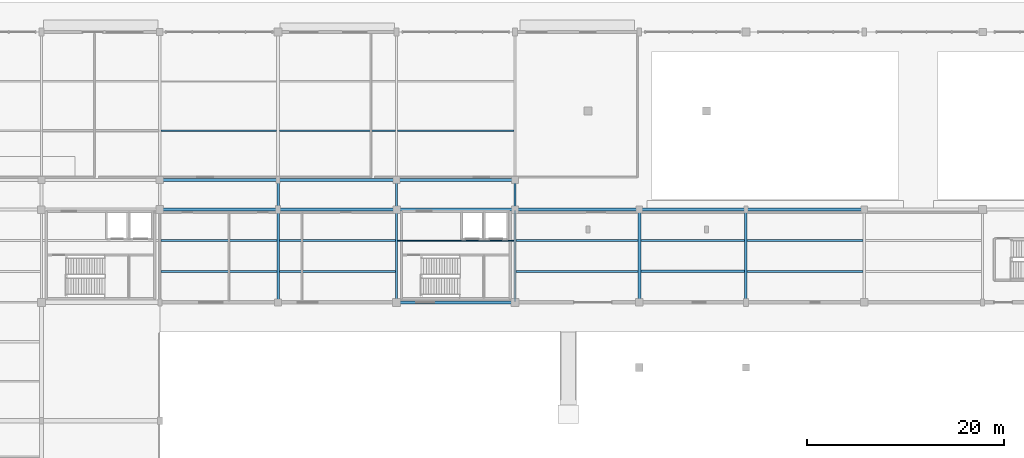
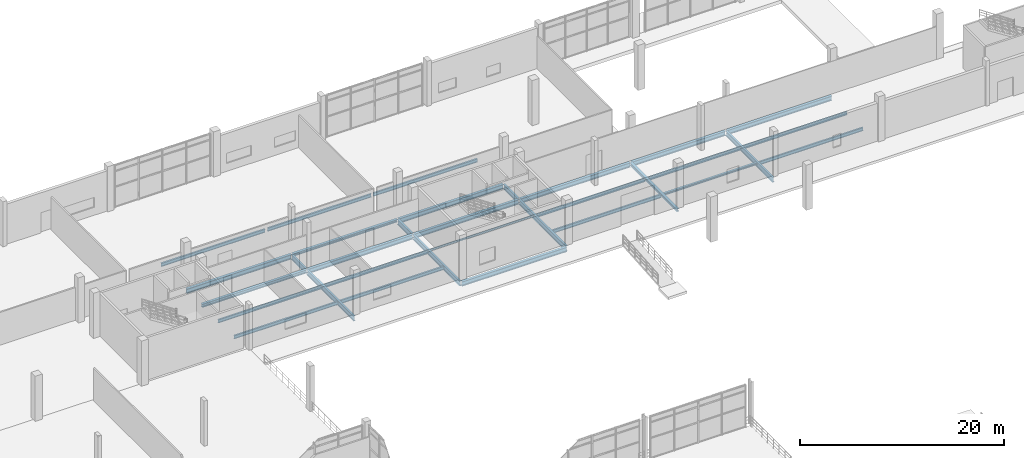
# One storey, part 30 of 85: 32 beams.
"""IFC4 building model written with IfcOpenShell, lengths in metres."""

from ifc_helpers import new_model, si_unit, direction, frame, origin, origin_2d, place, context, subcontext, project, spatial, i_section, extrude, material, material_profile, profile_set, type_object, element, save


model = new_model("IFC4")

# Units and contexts
model_context = context("Model", 3, precision=1e-05, world=origin(), true_north=direction((0.0, 1.0)))
body_context = subcontext(model_context, "Body", "Model", "MODEL_VIEW")
ifc_project = project(units=[si_unit("LENGTHUNIT", "METRE"), si_unit("AREAUNIT", "SQUARE_METRE"), si_unit("VOLUMEUNIT", "CUBIC_METRE"), si_unit("PLANEANGLEUNIT", "RADIAN"), si_unit("MASSUNIT", "GRAM", prefix="KILO"), si_unit("THERMODYNAMICTEMPERATUREUNIT", "KELVIN"), si_unit("POWERUNIT", "WATT")], contexts=[model_context])

# Site, building, storey
site_placement = place(None, origin())
site = spatial("IfcSite", under=ifc_project, at=site_placement, CompositionType="ELEMENT")
building_placement = place(site_placement, origin())
building = spatial("IfcBuilding", under=site, at=building_placement, Name="Solmara Park Aquatics Centre", CompositionType="ELEMENT")
storey_placement = place(building_placement, origin())
storey = spatial("IfcBuildingStorey", under=building, at=storey_placement, Name="L00", CompositionType="ELEMENT", Elevation=0.0)

# Beams
ifc_material = material(Name="Structural Steel S355", Category="steel")
ifc_material_profile_1 = material_profile(ifc_material, i_section(OverallWidth=0.300048828125, OverallDepth=0.31005859375, WebThickness=0.009033203125, FlangeThickness=0.015380859375, FilletRadius=0.027099609375, at=origin_2d()), Name="HEA 320")
ifc_profile_set_1 = profile_set([ifc_material_profile_1], Name="Structural Steel S355")
beam_type_1 = type_object("IfcBeamType", Name="STR-BM-HEA320", PredefinedType="BEAM", material=ifc_profile_set_1)
beam_1_placement = place(storey_placement, frame((72.679931640625, 121.0, -0.574951171875), z_axis=(1.0, 0.0, 0.0), x_axis=(0.0, 1.0, 0.0)))
element("IfcBeam", 1, at=beam_1_placement, inside=storey, type_object=beam_type_1, Name="Girder BM-L00-0138", PredefinedType="BEAM", context=body_context, shape_type="SweptSolid", body=[
    extrude(i_section(OverallWidth=0.300048828125, OverallDepth=0.31005859375, WebThickness=0.009033203125, FlangeThickness=0.015380859375, FilletRadius=0.027099609375, at=origin_2d()), origin(), (0.0, 0.0, 1.0), 11.840087890625),
])
beam_2_placement = place(storey_placement, frame((109.199951171875, 108.679931640625, -0.574951171875), z_axis=(0.0, 1.0, 0.0), x_axis=(-1.0, 0.0, 0.0)))
element("IfcBeam", 2, at=beam_2_placement, inside=storey, type_object=beam_type_1, Name="Girder BM-L00-0161", PredefinedType="BEAM", context=body_context, shape_type="SweptSolid", body=[
    extrude(i_section(OverallWidth=0.300048828125, OverallDepth=0.31005859375, WebThickness=0.009033203125, FlangeThickness=0.015380859375, FilletRadius=0.027099609375, at=origin_2d()), origin(), (0.0, 0.0, 1.0), 9.239990234375),
])
ifc_material_profile_2 = material_profile(ifc_material, i_section(OverallWidth=0.300048828125, OverallDepth=0.389892578125, WebThickness=0.010986328125, FlangeThickness=0.01904296875, FilletRadius=0.027099609375, at=origin_2d()), Name="HEA 400")
ifc_profile_set_2 = profile_set([ifc_material_profile_2], Name="Structural Steel S355")
beam_type_2 = type_object("IfcBeamType", Name="STR-BM-HEA400", PredefinedType="BEAM", material=ifc_profile_set_2)
beam_3_placement = place(storey_placement, frame((60.679931640625, 118.0, -0.614990234375), z_axis=(1.0, 0.0, 0.0), x_axis=(0.0, 1.0, 0.0)))
element("IfcBeam", 3, at=beam_3_placement, inside=storey, type_object=beam_type_2, Name="Girder BM-L00-0126", PredefinedType="BEAM", context=body_context, shape_type="SweptSolid", body=[
    extrude(i_section(OverallWidth=0.300048828125, OverallDepth=0.389892578125, WebThickness=0.010986328125, FlangeThickness=0.01904296875, FilletRadius=0.027099609375, at=origin_2d()), origin(), (0.0, 0.0, 1.0), 11.840087890625),
])
ifc_material_profile_3 = material_profile(ifc_material, i_section(OverallWidth=0.300048828125, OverallDepth=0.550048828125, WebThickness=0.014892578125, FlangeThickness=0.029052734375, FilletRadius=0.027099609375, at=origin_2d()), Name="HEB 550")
ifc_profile_set_3 = profile_set([ifc_material_profile_3], Name="Structural Steel S355")
beam_type_3 = type_object("IfcBeamType", Name="STR-BM-HEB550", PredefinedType="BEAM", material=ifc_profile_set_3)
for number, where, z_axis, x_axis, name in (
    (4, (84.679931640625, 108.60009765625, -0.695068359375), (1.0, 0.0, 0.0), (0.0, 1.0, 0.0), "Girder BM-L00-0122"),
    (5, (72.679931640625, 118.0, -0.695068359375), (1.0, 0.0, 0.0), (0.0, 1.0, 0.0), "Girder BM-L00-0127"),
    (6, (84.679931640625, 118.0, -0.695068359375), (1.0, 0.0, 0.0), (0.0, 1.0, 0.0), "Girder BM-L00-0128"),
):
    element("IfcBeam", number, at=place(storey_placement, frame(where, z_axis=z_axis, x_axis=x_axis)), inside=storey, type_object=beam_type_3, Name=name, PredefinedType="BEAM", context=body_context, shape_type="SweptSolid", body=[
        extrude(i_section(OverallWidth=0.300048828125, OverallDepth=0.550048828125, WebThickness=0.014892578125, FlangeThickness=0.029052734375, FilletRadius=0.027099609375, at=origin_2d()), origin(), (0.0, 0.0, 1.0), 11.840087890625),
    ])
beam_4_placement = place(storey_placement, frame((96.679931640625, 118.0, -0.695068359375), z_axis=(1.0, 0.0, 0.0), x_axis=(0.0, 1.0, 0.0)))
element("IfcBeam", 7, at=beam_4_placement, inside=storey, type_object=beam_type_3, Name="Girder BM-L00-0129", PredefinedType="BEAM", context=body_context, shape_type="SweptSolid", body=[
    extrude(i_section(OverallWidth=0.300048828125, OverallDepth=0.550048828125, WebThickness=0.014892578125, FlangeThickness=0.029052734375, FilletRadius=0.027099609375, at=origin_2d()), origin(), (0.0, 0.0, 1.0), 12.440185546875),
])
beam_5_placement = place(storey_placement, frame((109.280029296875, 118.0, -0.695068359375), z_axis=(1.0, 0.0, 0.0), x_axis=(0.0, 1.0, 0.0)))
element("IfcBeam", 8, at=beam_5_placement, inside=storey, type_object=beam_type_3, Name="Girder BM-L00-0130", PredefinedType="BEAM", context=body_context, shape_type="SweptSolid", body=[
    extrude(i_section(OverallWidth=0.300048828125, OverallDepth=0.550048828125, WebThickness=0.014892578125, FlangeThickness=0.029052734375, FilletRadius=0.027099609375, at=origin_2d()), origin(), (0.0, 0.0, 1.0), 10.639892578125),
])
beam_6_placement = place(storey_placement, frame((120.080078125, 118.0, -0.695068359375), z_axis=(1.0, 0.0, 0.0), x_axis=(0.0, 1.0, 0.0)))
element("IfcBeam", 9, at=beam_6_placement, inside=storey, type_object=beam_type_3, Name="Girder BM-L00-0131", PredefinedType="BEAM", context=body_context, shape_type="SweptSolid", body=[
    extrude(i_section(OverallWidth=0.300048828125, OverallDepth=0.550048828125, WebThickness=0.014892578125, FlangeThickness=0.029052734375, FilletRadius=0.027099609375, at=origin_2d()), origin(), (0.0, 0.0, 1.0), 11.83984375),
])
for number, where, z_axis, x_axis, name in (
    (10, (60.679931640625, 121.0, -0.695068359375), (1.0, 0.0, 0.0), (0.0, 1.0, 0.0), "Girder BM-L00-0137"),
    (11, (84.679931640625, 121.0, -0.695068359375), (1.0, 0.0, 0.0), (0.0, 1.0, 0.0), "Girder BM-L00-0139"),
):
    element("IfcBeam", number, at=place(storey_placement, frame(where, z_axis=z_axis, x_axis=x_axis)), inside=storey, type_object=beam_type_3, Name=name, PredefinedType="BEAM", context=body_context, shape_type="SweptSolid", body=[
        extrude(i_section(OverallWidth=0.300048828125, OverallDepth=0.550048828125, WebThickness=0.014892578125, FlangeThickness=0.029052734375, FilletRadius=0.027099609375, at=origin_2d()), origin(), (0.0, 0.0, 1.0), 11.840087890625),
    ])
ifc_material_profile_4 = material_profile(ifc_material, i_section(OverallWidth=0.219970703125, OverallDepth=0.60009765625, WebThickness=0.011962890625, FlangeThickness=0.01904296875, FilletRadius=0.02392578125, at=origin_2d()), Name="IPE 600")
ifc_profile_set_4 = profile_set([ifc_material_profile_4], Name="Structural Steel S355")
beam_type_4 = type_object("IfcBeamType", Name="STR-BM-IPE600", PredefinedType="BEAM", material=ifc_profile_set_4)
beam_7_placement = place(storey_placement, frame((72.60009765625, 108.679931640625, -0.719970703125), z_axis=(0.0, 1.0, 0.0), x_axis=(-1.0, 0.0, 0.0)))
element("IfcBeam", 12, at=beam_7_placement, inside=storey, type_object=beam_type_4, Name="Girder BM-L00-0152", PredefinedType="BEAM", context=body_context, shape_type="SweptSolid", body=[
    extrude(i_section(OverallWidth=0.219970703125, OverallDepth=0.60009765625, WebThickness=0.011962890625, FlangeThickness=0.01904296875, FilletRadius=0.02392578125, at=origin_2d()), origin(), (0.0, 0.0, 1.0), 9.239990234375),
])
beam_8_placement = place(storey_placement, frame((72.60009765625, 118.080078125, -0.719970703125), z_axis=(0.0, 1.0, 0.0), x_axis=(-1.0, 0.0, 0.0)))
element("IfcBeam", 13, at=beam_8_placement, inside=storey, type_object=beam_type_4, Name="Girder BM-L00-0153", PredefinedType="BEAM", context=body_context, shape_type="SweptSolid", body=[
    extrude(i_section(OverallWidth=0.219970703125, OverallDepth=0.60009765625, WebThickness=0.011962890625, FlangeThickness=0.01904296875, FilletRadius=0.02392578125, at=origin_2d()), origin(), (0.0, 0.0, 1.0), 2.83984375),
])
beam_9_placement = place(storey_placement, frame((84.60009765625, 108.679931640625, -0.719970703125), z_axis=(0.0, 1.0, 0.0), x_axis=(-1.0, 0.0, 0.0)))
element("IfcBeam", 14, at=beam_9_placement, inside=storey, type_object=beam_type_4, Name="Girder BM-L00-0155", PredefinedType="BEAM", context=body_context, shape_type="SweptSolid", body=[
    extrude(i_section(OverallWidth=0.219970703125, OverallDepth=0.60009765625, WebThickness=0.011962890625, FlangeThickness=0.01904296875, FilletRadius=0.02392578125, at=origin_2d()), origin(), (0.0, 0.0, 1.0), 9.239990234375),
])
beam_10_placement = place(storey_placement, frame((84.60009765625, 118.080078125, -0.719970703125), z_axis=(0.0, 1.0, 0.0), x_axis=(-1.0, 0.0, 0.0)))
element("IfcBeam", 15, at=beam_10_placement, inside=storey, type_object=beam_type_4, Name="Girder BM-L00-0156", PredefinedType="BEAM", context=body_context, shape_type="SweptSolid", body=[
    extrude(i_section(OverallWidth=0.219970703125, OverallDepth=0.60009765625, WebThickness=0.011962890625, FlangeThickness=0.01904296875, FilletRadius=0.02392578125, at=origin_2d()), origin(), (0.0, 0.0, 1.0), 2.83984375),
])
beam_11_placement = place(storey_placement, frame((96.60009765625, 108.679931640625, -0.719970703125), z_axis=(0.0, 1.0, 0.0), x_axis=(-1.0, 0.0, 0.0)))
element("IfcBeam", 16, at=beam_11_placement, inside=storey, type_object=beam_type_4, Name="Girder BM-L00-0158", PredefinedType="BEAM", context=body_context, shape_type="SweptSolid", body=[
    extrude(i_section(OverallWidth=0.219970703125, OverallDepth=0.60009765625, WebThickness=0.011962890625, FlangeThickness=0.01904296875, FilletRadius=0.02392578125, at=origin_2d()), origin(), (0.0, 0.0, 1.0), 9.239990234375),
])
beam_12_placement = place(storey_placement, frame((96.60009765625, 118.080078125, -0.719970703125), z_axis=(0.0, 1.0, 0.0), x_axis=(-1.0, 0.0, 0.0)))
element("IfcBeam", 17, at=beam_12_placement, inside=storey, type_object=beam_type_4, Name="Girder BM-L00-0159", PredefinedType="BEAM", context=body_context, shape_type="SweptSolid", body=[
    extrude(i_section(OverallWidth=0.219970703125, OverallDepth=0.60009765625, WebThickness=0.011962890625, FlangeThickness=0.01904296875, FilletRadius=0.02392578125, at=origin_2d()), origin(), (0.0, 0.0, 1.0), 2.83984375),
])
beam_13_placement = place(storey_placement, frame((120.0, 108.679931640625, -0.719970703125), z_axis=(0.0, 1.0, 0.0), x_axis=(-1.0, 0.0, 0.0)))
element("IfcBeam", 18, at=beam_13_placement, inside=storey, type_object=beam_type_4, Name="Girder BM-L00-0162", PredefinedType="BEAM", context=body_context, shape_type="SweptSolid", body=[
    extrude(i_section(OverallWidth=0.219970703125, OverallDepth=0.60009765625, WebThickness=0.011962890625, FlangeThickness=0.01904296875, FilletRadius=0.02392578125, at=origin_2d()), origin(), (0.0, 0.0, 1.0), 9.239990234375),
])
ifc_material_profile_5 = material_profile(ifc_material, i_section(OverallWidth=0.239990234375, OverallDepth=0.22998046875, WebThickness=0.007568359375, FlangeThickness=0.011962890625, FilletRadius=0.02099609375, at=origin_2d()), Name="HEA 240")
ifc_profile_set_5 = profile_set([ifc_material_profile_5], Name="Structural Steel S355")
beam_type_5 = type_object("IfcBeamType", Name="STR-JST-HEA240", PredefinedType="JOIST", material=ifc_profile_set_5)
beam_14_placement = place(storey_placement, frame((109.35009765625, 111.7333984375, -0.534912109375), z_axis=(1.0, 0.0, 0.0), x_axis=(0.0, 1.0, 0.0)))
element("IfcBeam", 19, at=beam_14_placement, inside=storey, type_object=beam_type_5, Name="Floor Joist JST-L00-0099", PredefinedType="JOIST", context=body_context, shape_type="SweptSolid", body=[
    extrude(i_section(OverallWidth=0.239990234375, OverallDepth=0.22998046875, WebThickness=0.007568359375, FlangeThickness=0.011962890625, FilletRadius=0.02099609375, at=origin_2d()), origin(), (0.0, 0.0, 1.0), 10.539794921875),
])
ifc_material_profile_6 = material_profile(ifc_material, i_section(OverallWidth=0.10009765625, OverallDepth=0.199951171875, WebThickness=0.005615234375, FlangeThickness=0.008544921875, FilletRadius=0.011962890625, at=origin_2d()), Name="IPE 200")
ifc_profile_set_6 = profile_set([ifc_material_profile_6], Name="Structural Steel S355")
beam_type_6 = type_object("IfcBeamType", Name="STR-JST-IPE200", PredefinedType="JOIST", material=ifc_profile_set_6)
beam_15_placement = place(storey_placement, frame((84.7099609375, 114.86669921875, -0.52001953125), z_axis=(1.0, 0.0, 0.0), x_axis=(0.0, 1.0, 0.0)))
element("IfcBeam", 20, at=beam_15_placement, inside=storey, type_object=beam_type_6, Name="Floor Joist JST-L00-0094", PredefinedType="JOIST", context=body_context, shape_type="SweptSolid", body=[
    extrude(i_section(OverallWidth=0.10009765625, OverallDepth=0.199951171875, WebThickness=0.005615234375, FlangeThickness=0.008544921875, FilletRadius=0.011962890625, at=origin_2d()), origin(), (0.0, 0.0, 1.0), 11.780029296875),
])
ifc_material_profile_7 = material_profile(ifc_material, i_section(OverallWidth=0.179931640625, OverallDepth=0.39990234375, WebThickness=0.008544921875, FlangeThickness=0.013427734375, FilletRadius=0.02099609375, at=origin_2d()), Name="IPE 400")
ifc_profile_set_7 = profile_set([ifc_material_profile_7], Name="Structural Steel S355")
beam_type_7 = type_object("IfcBeamType", Name="STR-JST-IPE400", PredefinedType="JOIST", material=ifc_profile_set_7)
for number, where, z_axis, x_axis, name in (
    (21, (60.7099609375, 111.7333984375, -0.6201171875), (1.0, 0.0, 0.0), (0.0, 1.0, 0.0), "Floor Joist JST-L00-0086"),
    (22, (60.7099609375, 114.86669921875, -0.6201171875), (1.0, 0.0, 0.0), (0.0, 1.0, 0.0), "Floor Joist JST-L00-0087"),
):
    element("IfcBeam", number, at=place(storey_placement, frame(where, z_axis=z_axis, x_axis=x_axis)), inside=storey, type_object=beam_type_7, Name=name, PredefinedType="JOIST", context=body_context, shape_type="SweptSolid", body=[
        extrude(i_section(OverallWidth=0.179931640625, OverallDepth=0.39990234375, WebThickness=0.008544921875, FlangeThickness=0.013427734375, FilletRadius=0.02099609375, at=origin_2d()), origin(), (0.0, 0.0, 1.0), 11.780029296875),
    ])
beam_16_placement = place(storey_placement, frame((60.7099609375, 126.0, -0.6201171875), z_axis=(1.0, 0.0, 0.0), x_axis=(0.0, 1.0, 0.0)))
element("IfcBeam", 23, at=beam_16_placement, inside=storey, type_object=beam_type_7, Name="Floor Joist JST-L00-0088", PredefinedType="JOIST", context=body_context, shape_type="SweptSolid", body=[
    extrude(i_section(OverallWidth=0.179931640625, OverallDepth=0.39990234375, WebThickness=0.008544921875, FlangeThickness=0.013427734375, FilletRadius=0.02099609375, at=origin_2d()), origin(), (0.0, 0.0, 1.0), 11.739990234375),
])
for number, where, z_axis, x_axis, name in (
    (24, (72.7099609375, 111.7333984375, -0.6201171875), (1.0, 0.0, 0.0), (0.0, 1.0, 0.0), "Floor Joist JST-L00-0090"),
    (25, (72.7099609375, 114.86669921875, -0.6201171875), (1.0, 0.0, 0.0), (0.0, 1.0, 0.0), "Floor Joist JST-L00-0091"),
):
    element("IfcBeam", number, at=place(storey_placement, frame(where, z_axis=z_axis, x_axis=x_axis)), inside=storey, type_object=beam_type_7, Name=name, PredefinedType="JOIST", context=body_context, shape_type="SweptSolid", body=[
        extrude(i_section(OverallWidth=0.179931640625, OverallDepth=0.39990234375, WebThickness=0.008544921875, FlangeThickness=0.013427734375, FilletRadius=0.02099609375, at=origin_2d()), origin(), (0.0, 0.0, 1.0), 11.780029296875),
    ])
beam_17_placement = place(storey_placement, frame((72.75, 126.0, -0.6201171875), z_axis=(1.0, 0.0, 0.0), x_axis=(0.0, 1.0, 0.0)))
element("IfcBeam", 26, at=beam_17_placement, inside=storey, type_object=beam_type_7, Name="Floor Joist JST-L00-0092", PredefinedType="JOIST", context=body_context, shape_type="SweptSolid", body=[
    extrude(i_section(OverallWidth=0.179931640625, OverallDepth=0.39990234375, WebThickness=0.008544921875, FlangeThickness=0.013427734375, FilletRadius=0.02099609375, at=origin_2d()), origin(), (0.0, 0.0, 1.0), 11.739990234375),
])
beam_18_placement = place(storey_placement, frame((84.7099609375, 126.0, -0.6201171875), z_axis=(1.0, 0.0, 0.0), x_axis=(0.0, 1.0, 0.0)))
element("IfcBeam", 27, at=beam_18_placement, inside=storey, type_object=beam_type_7, Name="Floor Joist JST-L00-0095", PredefinedType="JOIST", context=body_context, shape_type="SweptSolid", body=[
    extrude(i_section(OverallWidth=0.179931640625, OverallDepth=0.39990234375, WebThickness=0.008544921875, FlangeThickness=0.013427734375, FilletRadius=0.02099609375, at=origin_2d()), origin(), (0.0, 0.0, 1.0), 11.780029296875),
])
for number, where, z_axis, x_axis, name in (
    (28, (96.7099609375, 111.7333984375, -0.6201171875), (1.0, 0.0, 0.0), (0.0, 1.0, 0.0), "Floor Joist JST-L00-0097"),
    (29, (96.7099609375, 114.86669921875, -0.6201171875), (1.0, 0.0, 0.0), (0.0, 1.0, 0.0), "Floor Joist JST-L00-0098"),
):
    element("IfcBeam", number, at=place(storey_placement, frame(where, z_axis=z_axis, x_axis=x_axis)), inside=storey, type_object=beam_type_7, Name=name, PredefinedType="JOIST", context=body_context, shape_type="SweptSolid", body=[
        extrude(i_section(OverallWidth=0.179931640625, OverallDepth=0.39990234375, WebThickness=0.008544921875, FlangeThickness=0.013427734375, FilletRadius=0.02099609375, at=origin_2d()), origin(), (0.0, 0.0, 1.0), 12.340087890625),
    ])
beam_19_placement = place(storey_placement, frame((109.35009765625, 114.86669921875, -0.6201171875), z_axis=(1.0, 0.0, 0.0), x_axis=(0.0, 1.0, 0.0)))
element("IfcBeam", 30, at=beam_19_placement, inside=storey, type_object=beam_type_7, Name="Floor Joist JST-L00-0100", PredefinedType="JOIST", context=body_context, shape_type="SweptSolid", body=[
    extrude(i_section(OverallWidth=0.179931640625, OverallDepth=0.39990234375, WebThickness=0.008544921875, FlangeThickness=0.013427734375, FilletRadius=0.02099609375, at=origin_2d()), origin(), (0.0, 0.0, 1.0), 10.539794921875),
])
for number, where, z_axis, x_axis, name in (
    (31, (120.110107421875, 111.7333984375, -0.6201171875), (1.0, 0.0, 0.0), (0.0, 1.0, 0.0), "Floor Joist JST-L00-0101"),
    (32, (120.110107421875, 114.86669921875, -0.6201171875), (1.0, 0.0, 0.0), (0.0, 1.0, 0.0), "Floor Joist JST-L00-0102"),
):
    element("IfcBeam", number, at=place(storey_placement, frame(where, z_axis=z_axis, x_axis=x_axis)), inside=storey, type_object=beam_type_7, Name=name, PredefinedType="JOIST", context=body_context, shape_type="SweptSolid", body=[
        extrude(i_section(OverallWidth=0.179931640625, OverallDepth=0.39990234375, WebThickness=0.008544921875, FlangeThickness=0.013427734375, FilletRadius=0.02099609375, at=origin_2d()), origin(), (0.0, 0.0, 1.0), 11.77978515625),
    ])

save(model, "model.ifc")
